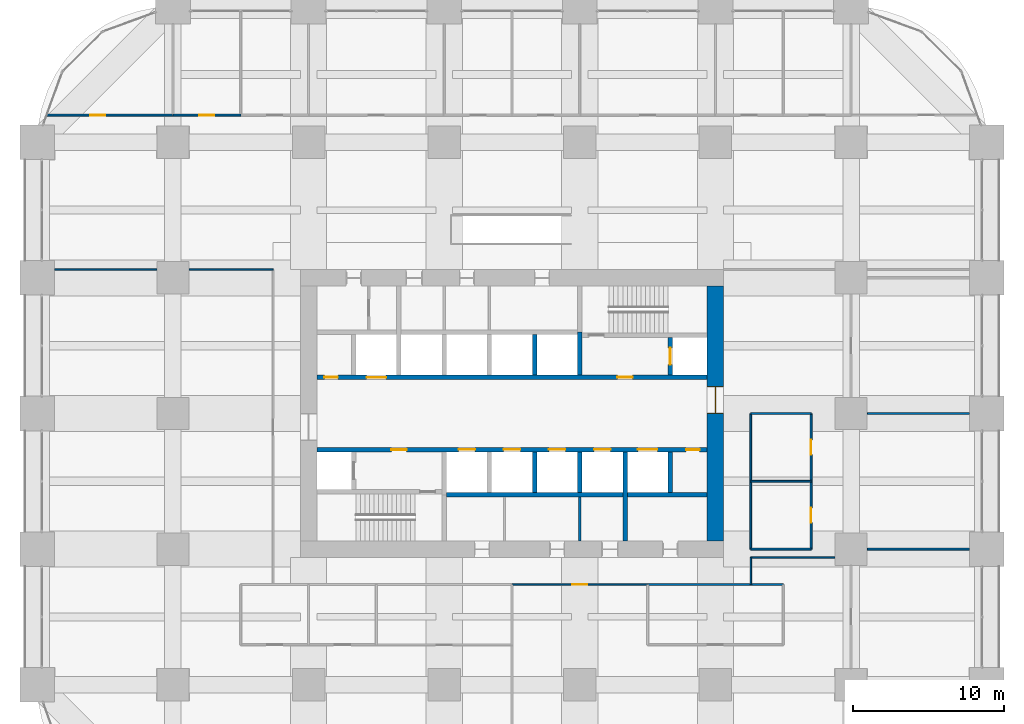
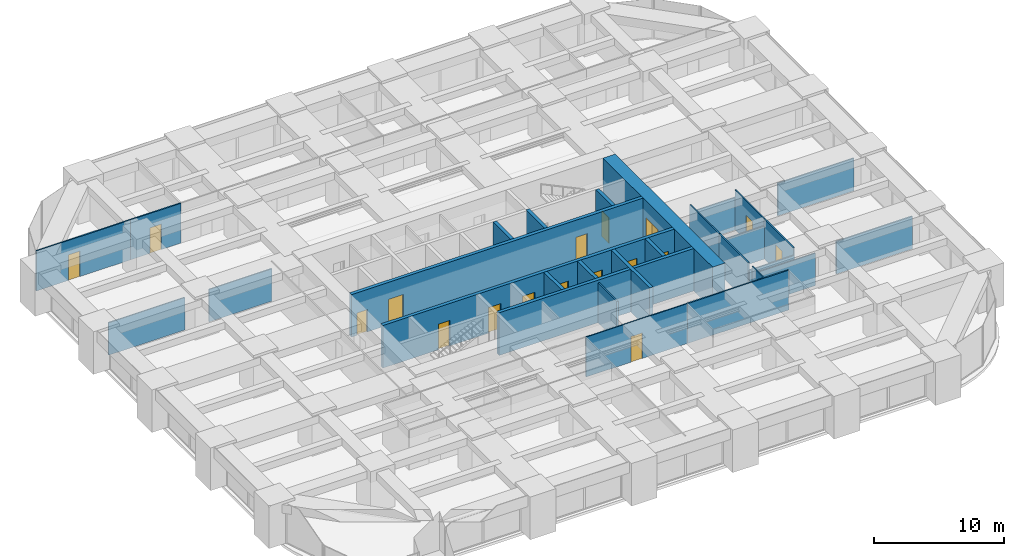
# One storey, part 40 of 44: 29 walls, 17 doors, 17 openings.
"""IFC4 building model written with IfcOpenShell, lengths in metres."""

from ifc_helpers import new_model, si_unit, direction, frame, frame_2d, origin, place, context, subcontext, project, spatial, rectangle, extrude, material, layer, layer_set, type_object, element, fill, save


model = new_model("IFC4")

# Units and contexts
model_context = context("Model", 3, precision=1e-05, world=origin(), true_north=direction((0.0, 1.0)))
body_context = subcontext(model_context, "Body", "Model", "MODEL_VIEW")
ifc_project = project(units=[si_unit("LENGTHUNIT", "METRE"), si_unit("AREAUNIT", "SQUARE_METRE"), si_unit("VOLUMEUNIT", "CUBIC_METRE"), si_unit("PLANEANGLEUNIT", "RADIAN"), si_unit("MASSUNIT", "GRAM", prefix="KILO")], contexts=[model_context])

# Site, building, storey
site_placement = place(None, origin())
site = spatial("IfcSite", under=ifc_project, at=site_placement, CompositionType="ELEMENT")
building_placement = place(site_placement, origin())
building = spatial("IfcBuilding", under=site, at=building_placement, Name="Zorevar Civic Tower", CompositionType="ELEMENT")
storey_placement = place(building_placement, frame((0.0, 0.0, 63.800048828125)))
storey = spatial("IfcBuildingStorey", under=building, at=storey_placement, Name="L15", CompositionType="ELEMENT", Elevation=63.800048828125)

# Wall, opening, door
ifc_material_1 = material(Name="Concrete C50/60", Category="concrete")
ifc_layer_1 = layer(ifc_material_1, 1.10009765625)
ifc_layer_set_1 = layer_set([ifc_layer_1], Name="Core wall 1100")
wall_type_1 = type_object("IfcWallType", Name="Core wall 1100", PredefinedType="SHEAR", material=ifc_layer_set_1)
wall_1_placement = place(storey_placement, frame((45.0, 18.550048828125, 0.0), z_axis=(0.0, 0.0, 1.0), x_axis=(0.0, 1.0, 0.0)))
wall_1 = element("IfcWall", 1, at=wall_1_placement, inside=storey, type_object=wall_type_1, Name="Core wall E L15", PredefinedType="SHEAR", context=body_context, shape_type="SweptSolid", body=[
    extrude(rectangle(XDim=16.89990234375, YDim=1.10009765625, at=frame_2d((8.449951171875, 0.0))), origin(), (0.0, 0.0, 1.0), 4.0),
])
opening_1_placement = place(wall_1_placement, frame((8.449951171875, 0.0, 0.0)))
opening_1 = element("IfcOpeningElement", 2, at=opening_1_placement, cuts=wall_1, Name="Opening L15.02", PredefinedType="OPENING", context=body_context, shape_type="SweptSolid", body=[
    extrude(rectangle(XDim=1.800048828125, YDim=2.39990234375, at=frame_2d((0.89990234375, 1.199951171875))), frame((0.0, 0.56005859375, 0.0), z_axis=(0.0, -1.0, 0.0), x_axis=(1.0, 0.0, 0.0)), (0.0, 0.0, 1.0), 1.1201171875),
])
ifc_material_2 = material(Name="Steel door set", Category="steel")
door_type_1 = type_object("IfcDoorType", Name="Fire door FD2 1800x2400", OperationType="DOUBLE_DOOR_DOUBLE_SWING", PredefinedType="DOOR", material=ifc_material_2)
door_1_placement = place(opening_1_placement, origin())
door_1 = element("IfcDoor", 3, at=door_1_placement, inside=storey, type_object=door_type_1, Name="Door L15 01", OperationType="DOUBLE_DOOR_DOUBLE_SWING", OverallHeight=2.39990234375, OverallWidth=1.800048828125, PredefinedType="DOOR", context=body_context, shape_type="SweptSolid", body=[
    extrude(rectangle(XDim=1.800048828125, YDim=2.39990234375, at=frame_2d((0.89990234375, 1.199951171875))), frame((0.0, 0.030029296875, 0.0), z_axis=(0.0, -1.0, 0.0), x_axis=(1.0, 0.0, 0.0)), (0.0, 0.0, 1.0), 0.06005859375),
    extrude(rectangle(XDim=0.04, YDim=2.39990234375, at=frame_2d((0.02001953125, 1.199951171875))), frame((0.0, 0.5498046875, 0.0), z_axis=(0.0, -1.0, 0.0), x_axis=(1.0, 0.0, 0.0)), (0.0, 0.0, 1.0), 1.099609375),
    extrude(rectangle(XDim=0.04, YDim=2.39990234375, at=frame_2d((1.780029296875, 1.199951171875))), frame((0.0, 0.5498046875, 0.0), z_axis=(0.0, -1.0, 0.0), x_axis=(1.0, 0.0, 0.0)), (0.0, 0.0, 1.0), 1.099609375),
    extrude(rectangle(XDim=1.800048828125, YDim=0.04, at=frame_2d((0.89990234375, 2.3798828125))), frame((0.0, 0.5498046875, 0.0), z_axis=(0.0, -1.0, 0.0), x_axis=(1.0, 0.0, 0.0)), (0.0, 0.0, 1.0), 1.099609375),
])
fill(opening_1, door_1)

ifc_material_3 = material(Name="Laminated glass in black aluminium frame", Category="aluminium")
ifc_layer_2 = layer(ifc_material_3, 0.10009765625)
ifc_layer_set_2 = layer_set([ifc_layer_2], Name="Glazed partition 100")
wall_type_2 = type_object("IfcWallType", Name="Glazed partition 100", PredefinedType="PARTITIONING", material=ifc_layer_set_2)
wall_2_placement = place(storey_placement, frame((31.5, 15.64990234375, 0.0), z_axis=(0.0, 0.0, 1.0), x_axis=(1.0, 0.0, 0.0)))
wall_2 = element("IfcWall", 4, at=wall_2_placement, inside=storey, type_object=wall_type_2, Name="Glazed partition 100 L15", PredefinedType="PARTITIONING", context=body_context, shape_type="SweptSolid", body=[
    extrude(rectangle(XDim=9.0, YDim=0.10009765625, at=frame_2d((4.5, 0.0))), origin(), (0.0, 0.0, 1.0), 3.75),
])
opening_2_placement = place(wall_2_placement, frame((4.0, 0.0, 0.0)))
opening_2 = element("IfcOpeningElement", 5, at=opening_2_placement, cuts=wall_2, Name="Opening L15.21", PredefinedType="OPENING", context=body_context, shape_type="SweptSolid", body=[
    extrude(rectangle(XDim=1.0, YDim=2.39990234375, at=frame_2d((0.5, 1.199951171875))), frame((0.0, 0.06005859375, 0.0), z_axis=(0.0, -1.0, 0.0), x_axis=(1.0, 0.0, 0.0)), (0.0, 0.0, 1.0), 0.1201171875),
])
ifc_material_4 = material(Name="Timber door set", Category="wood")
door_type_2 = type_object("IfcDoorType", Name="Glazed door GD1 1000x2400", OperationType="SINGLE_SWING_LEFT", PredefinedType="DOOR", material=ifc_material_4)
door_2_placement = place(opening_2_placement, origin())
door_2 = element("IfcDoor", 6, at=door_2_placement, inside=storey, type_object=door_type_2, Name="Door L15 D1", OperationType="SINGLE_SWING_RIGHT", OverallHeight=2.39990234375, OverallWidth=1.0, PredefinedType="DOOR", context=body_context, shape_type="SweptSolid", body=[
    extrude(rectangle(XDim=1.0, YDim=2.39990234375, at=frame_2d((0.5, 1.199951171875))), frame((0.0, 0.02001953125, 0.0), z_axis=(0.0, -1.0, 0.0), x_axis=(1.0, 0.0, 0.0)), (0.0, 0.0, 1.0), 0.0400390625),
])
fill(opening_2, door_2)

# Walls
wall_3_placement = place(storey_placement, frame((47.35009765625, 17.449951171875, 0.0), z_axis=(0.0, 0.0, 1.0), x_axis=(1.0, 0.0, 0.0)))
element("IfcWall", 7, at=wall_3_placement, inside=storey, type_object=wall_type_2, Name="Glazed partition 100 L15", PredefinedType="PARTITIONING", context=body_context, shape_type="SweptSolid", body=[
    extrude(rectangle(XDim=5.574951171875, YDim=0.10009765625, at=frame_2d((2.78759765625, 0.0))), origin(), (0.0, 0.0, 1.0), 3.050048828125),
])
wall_4_placement = place(storey_placement, frame((1.14990234375, 36.550048828125, 0.0), z_axis=(0.0, 0.0, 1.0), x_axis=(1.0, 0.0, 0.0)))
element("IfcWall", 8, at=wall_4_placement, inside=storey, type_object=wall_type_2, Name="Glazed partition 100 L15", PredefinedType="PARTITIONING", context=body_context, shape_type="SweptSolid", body=[
    extrude(rectangle(XDim=6.775146484375, YDim=0.10009765625, at=frame_2d((3.3876953125, 0.0))), origin(), (0.0, 0.0, 1.0), 3.050048828125),
])
wall_5_placement = place(storey_placement, frame((10.074951171875, 36.550048828125, 0.0), z_axis=(0.0, 0.0, 1.0), x_axis=(1.0, 0.0, 0.0)))
element("IfcWall", 9, at=wall_5_placement, inside=storey, type_object=wall_type_2, Name="Glazed partition 100 L15", PredefinedType="PARTITIONING", context=body_context, shape_type="SweptSolid", body=[
    extrude(rectangle(XDim=5.574951171875, YDim=0.10009765625, at=frame_2d((2.78759765625, 0.0))), origin(), (0.0, 0.0, 1.0), 3.050048828125),
])
wall_6_placement = place(storey_placement, frame((47.35009765625, 15.64990234375, 0.0), z_axis=(0.0, 0.0, 1.0), x_axis=(0.0, 1.0, 0.0)))
element("IfcWall", 10, at=wall_6_placement, inside=storey, type_object=wall_type_2, Name="Glazed partition 100 L15", PredefinedType="PARTITIONING", context=body_context, shape_type="SweptSolid", body=[
    extrude(rectangle(XDim=1.800048828125, YDim=0.10009765625, at=frame_2d((0.89990234375, 0.0))), origin(), (0.0, 0.0, 1.0), 3.75),
])

# Wall, opening, door
ifc_material_5 = material(Name="Concrete C40/50", Category="concrete")
ifc_layer_3 = layer(ifc_material_5, 0.300048828125)
ifc_layer_set_3 = layer_set([ifc_layer_3], Name="Inner core wall 300")
wall_type_3 = type_object("IfcWallType", Name="Inner core wall 300", PredefinedType="SHEAR", material=ifc_layer_set_3)
wall_7_placement = place(storey_placement, frame((42.0, 29.550048828125, 0.0), z_axis=(0.0, 0.0, 1.0), x_axis=(0.0, 1.0, 0.0)))
wall_7 = element("IfcWall", 11, at=wall_7_placement, inside=storey, type_object=wall_type_3, Name="Inner core wall N02 L15", PredefinedType="SHEAR", context=body_context, shape_type="SweptSolid", body=[
    extrude(rectangle(XDim=2.5, YDim=0.300048828125, at=frame_2d((1.25, 0.0))), origin(), (0.0, 0.0, 1.0), 4.0),
])
opening_3_placement = place(wall_7_placement, frame((0.699951171875, 0.0, 0.0)))
opening_3 = element("IfcOpeningElement", 12, at=opening_3_placement, cuts=wall_7, Name="Opening L15.FL2", PredefinedType="OPENING", context=body_context, shape_type="SweptSolid", body=[
    extrude(rectangle(XDim=1.10009765625, YDim=2.39990234375, at=frame_2d((0.550048828125, 1.199951171875))), frame((0.0, 0.159912109375, 0.0), z_axis=(0.0, -1.0, 0.0), x_axis=(1.0, 0.0, 0.0)), (0.0, 0.0, 1.0), 0.320068359375),
])
ifc_material_6 = material(Name="Steel door set", Category="steel")
door_type_3 = type_object("IfcDoorType", Name="Firefighting lift landing door LD3 1100x2400", OperationType="DOUBLE_DOOR_SLIDING", PredefinedType="DOOR", material=ifc_material_6)
door_3_placement = place(opening_3_placement, origin())
door_3 = element("IfcDoor", 13, at=door_3_placement, inside=storey, type_object=door_type_3, Name="Landing door FL2 L15", OperationType="DOUBLE_DOOR_SLIDING", OverallHeight=2.39990234375, OverallWidth=1.10009765625, PredefinedType="DOOR", context=body_context, shape_type="SweptSolid", body=[
    extrude(rectangle(XDim=1.10009765625, YDim=2.39990234375, at=frame_2d((0.550048828125, 1.199951171875))), frame((0.0, 0.030029296875, 0.0), z_axis=(0.0, -1.0, 0.0), x_axis=(1.0, 0.0, 0.0)), (0.0, 0.0, 1.0), 0.06005859375),
])
fill(opening_3, door_3)

# Wall, openings, doors
wall_8_placement = place(storey_placement, frame((18.550048828125, 24.60009765625, 0.0), z_axis=(0.0, 0.0, 1.0), x_axis=(1.0, 0.0, 0.0)))
wall_8 = element("IfcWall", 14, at=wall_8_placement, inside=storey, type_object=wall_type_3, Name="Inner core wall S03 L15", PredefinedType="SHEAR", context=body_context, shape_type="SweptSolid", body=[
    extrude(rectangle(XDim=25.89990234375, YDim=0.300048828125, at=frame_2d((12.949951171875, 0.0))), origin(), (0.0, 0.0, 1.0), 4.0),
])
opening_4_placement = place(wall_8_placement, frame((4.949951171875, 0.0, 0.0)))
opening_4 = element("IfcOpeningElement", 15, at=opening_4_placement, cuts=wall_8, Name="Opening L15.13", PredefinedType="OPENING", context=body_context, shape_type="SweptSolid", body=[
    extrude(rectangle(XDim=1.0, YDim=2.39990234375, at=frame_2d((0.5, 1.199951171875))), frame((0.0, 0.159912109375, 0.0), z_axis=(0.0, -1.0, 0.0), x_axis=(1.0, 0.0, 0.0)), (0.0, 0.0, 1.0), 0.320068359375),
])
opening_5_placement = place(wall_8_placement, frame((24.5, 0.0, 0.0)))
opening_5 = element("IfcOpeningElement", 16, at=opening_5_placement, cuts=wall_8, Name="Opening L15.15", PredefinedType="OPENING", context=body_context, shape_type="SweptSolid", body=[
    extrude(rectangle(XDim=0.89990234375, YDim=2.10009765625, at=frame_2d((0.449951171875, 1.050048828125))), frame((0.0, 0.159912109375, 0.0), z_axis=(0.0, -1.0, 0.0), x_axis=(1.0, 0.0, 0.0)), (0.0, 0.0, 1.0), 0.320068359375),
])
opening_6_placement = place(wall_8_placement, frame((9.39990234375, 0.0, 0.0)))
opening_6 = element("IfcOpeningElement", 17, at=opening_6_placement, cuts=wall_8, Name="Opening L15.LP1", PredefinedType="OPENING", context=body_context, shape_type="SweptSolid", body=[
    extrude(rectangle(XDim=1.10009765625, YDim=2.39990234375, at=frame_2d((0.550048828125, 1.199951171875))), frame((0.0, 0.159912109375, 0.0), z_axis=(0.0, -1.0, 0.0), x_axis=(1.0, 0.0, 0.0)), (0.0, 0.0, 1.0), 0.320068359375),
])
opening_7_placement = place(wall_8_placement, frame((12.39990234375, 0.0, 0.0)))
opening_7 = element("IfcOpeningElement", 18, at=opening_7_placement, cuts=wall_8, Name="Opening L15.LP2", PredefinedType="OPENING", context=body_context, shape_type="SweptSolid", body=[
    extrude(rectangle(XDim=1.10009765625, YDim=2.39990234375, at=frame_2d((0.550048828125, 1.199951171875))), frame((0.0, 0.159912109375, 0.0), z_axis=(0.0, -1.0, 0.0), x_axis=(1.0, 0.0, 0.0)), (0.0, 0.0, 1.0), 0.320068359375),
])
opening_8_placement = place(wall_8_placement, frame((15.39990234375, 0.0, 0.0)))
opening_8 = element("IfcOpeningElement", 19, at=opening_8_placement, cuts=wall_8, Name="Opening L15.LP3", PredefinedType="OPENING", context=body_context, shape_type="SweptSolid", body=[
    extrude(rectangle(XDim=1.10009765625, YDim=2.39990234375, at=frame_2d((0.550048828125, 1.199951171875))), frame((0.0, 0.159912109375, 0.0), z_axis=(0.0, -1.0, 0.0), x_axis=(1.0, 0.0, 0.0)), (0.0, 0.0, 1.0), 0.320068359375),
])
opening_9_placement = place(wall_8_placement, frame((18.39990234375, 0.0, 0.0)))
opening_9 = element("IfcOpeningElement", 20, at=opening_9_placement, cuts=wall_8, Name="Opening L15.LP4", PredefinedType="OPENING", context=body_context, shape_type="SweptSolid", body=[
    extrude(rectangle(XDim=1.10009765625, YDim=2.39990234375, at=frame_2d((0.550048828125, 1.199951171875))), frame((0.0, 0.159912109375, 0.0), z_axis=(0.0, -1.0, 0.0), x_axis=(1.0, 0.0, 0.0)), (0.0, 0.0, 1.0), 0.320068359375),
])
opening_10_placement = place(wall_8_placement, frame((21.300048828125, 0.0, 0.0)))
opening_10 = element("IfcOpeningElement", 21, at=opening_10_placement, cuts=wall_8, Name="Opening L15.SL1", PredefinedType="OPENING", context=body_context, shape_type="SweptSolid", body=[
    extrude(rectangle(XDim=1.300048828125, YDim=2.39990234375, at=frame_2d((0.64990234375, 1.199951171875))), frame((0.0, 0.159912109375, 0.0), z_axis=(0.0, -1.0, 0.0), x_axis=(1.0, 0.0, 0.0)), (0.0, 0.0, 1.0), 0.320068359375),
])
ifc_material_7 = material(Name="Steel door set", Category="steel")
door_type_4 = type_object("IfcDoorType", Name="Fire door FD1 1000x2400", OperationType="SINGLE_SWING_LEFT", PredefinedType="DOOR", material=ifc_material_7)
door_4_placement = place(opening_4_placement, origin())
door_4 = element("IfcDoor", 22, at=door_4_placement, inside=storey, type_object=door_type_4, Name="Door L15 12", OperationType="SINGLE_SWING_RIGHT", OverallHeight=2.39990234375, OverallWidth=1.0, PredefinedType="DOOR", context=body_context, shape_type="SweptSolid", body=[
    extrude(rectangle(XDim=1.0, YDim=2.39990234375, at=frame_2d((0.5, 1.199951171875))), frame((0.0, 0.030029296875, 0.0), z_axis=(0.0, -1.0, 0.0), x_axis=(1.0, 0.0, 0.0)), (0.0, 0.0, 1.0), 0.06005859375),
])
fill(opening_4, door_4)
ifc_material_8 = material(Name="Steel door set", Category="steel")
door_type_5 = type_object("IfcDoorType", Name="Landing door LD1 1100x2400", OperationType="DOUBLE_DOOR_SLIDING", PredefinedType="DOOR", material=ifc_material_8)
door_5_placement = place(opening_6_placement, origin())
door_5 = element("IfcDoor", 23, at=door_5_placement, inside=storey, type_object=door_type_5, Name="Landing door LP1 L15", OperationType="DOUBLE_DOOR_SLIDING", OverallHeight=2.39990234375, OverallWidth=1.10009765625, PredefinedType="DOOR", context=body_context, shape_type="SweptSolid", body=[
    extrude(rectangle(XDim=1.10009765625, YDim=2.39990234375, at=frame_2d((0.550048828125, 1.199951171875))), frame((0.0, 0.02001953125, 0.0), z_axis=(0.0, -1.0, 0.0), x_axis=(1.0, 0.0, 0.0)), (0.0, 0.0, 1.0), 0.0400390625),
])
fill(opening_6, door_5)
door_6_placement = place(opening_7_placement, origin())
door_6 = element("IfcDoor", 24, at=door_6_placement, inside=storey, type_object=door_type_5, Name="Landing door LP2 L15", OperationType="DOUBLE_DOOR_SLIDING", OverallHeight=2.39990234375, OverallWidth=1.10009765625, PredefinedType="DOOR", context=body_context, shape_type="SweptSolid", body=[
    extrude(rectangle(XDim=1.10009765625, YDim=2.39990234375, at=frame_2d((0.550048828125, 1.199951171875))), frame((0.0, 0.02001953125, 0.0), z_axis=(0.0, -1.0, 0.0), x_axis=(1.0, 0.0, 0.0)), (0.0, 0.0, 1.0), 0.0400390625),
])
fill(opening_7, door_6)
door_7_placement = place(opening_8_placement, origin())
door_7 = element("IfcDoor", 25, at=door_7_placement, inside=storey, type_object=door_type_5, Name="Landing door LP3 L15", OperationType="DOUBLE_DOOR_SLIDING", OverallHeight=2.39990234375, OverallWidth=1.10009765625, PredefinedType="DOOR", context=body_context, shape_type="SweptSolid", body=[
    extrude(rectangle(XDim=1.10009765625, YDim=2.39990234375, at=frame_2d((0.550048828125, 1.199951171875))), frame((0.0, 0.02001953125, 0.0), z_axis=(0.0, -1.0, 0.0), x_axis=(1.0, 0.0, 0.0)), (0.0, 0.0, 1.0), 0.0400390625),
])
fill(opening_8, door_7)
door_8_placement = place(opening_9_placement, origin())
door_8 = element("IfcDoor", 26, at=door_8_placement, inside=storey, type_object=door_type_5, Name="Landing door LP4 L15", OperationType="DOUBLE_DOOR_SLIDING", OverallHeight=2.39990234375, OverallWidth=1.10009765625, PredefinedType="DOOR", context=body_context, shape_type="SweptSolid", body=[
    extrude(rectangle(XDim=1.10009765625, YDim=2.39990234375, at=frame_2d((0.550048828125, 1.199951171875))), frame((0.0, 0.02001953125, 0.0), z_axis=(0.0, -1.0, 0.0), x_axis=(1.0, 0.0, 0.0)), (0.0, 0.0, 1.0), 0.0400390625),
])
fill(opening_9, door_8)
ifc_material_9 = material(Name="Steel door set", Category="steel")
door_type_6 = type_object("IfcDoorType", Name="Landing door LD2 1300x2400", OperationType="DOUBLE_DOOR_SLIDING", PredefinedType="DOOR", material=ifc_material_9)
door_9_placement = place(opening_10_placement, origin())
door_9 = element("IfcDoor", 27, at=door_9_placement, inside=storey, type_object=door_type_6, Name="Landing door SL1 L15", OperationType="DOUBLE_DOOR_SLIDING", OverallHeight=2.39990234375, OverallWidth=1.300048828125, PredefinedType="DOOR", context=body_context, shape_type="SweptSolid", body=[
    extrude(rectangle(XDim=1.300048828125, YDim=2.39990234375, at=frame_2d((0.64990234375, 1.199951171875))), frame((0.0, 0.02001953125, 0.0), z_axis=(0.0, -1.0, 0.0), x_axis=(1.0, 0.0, 0.0)), (0.0, 0.0, 1.0), 0.0400390625),
])
fill(opening_10, door_9)
ifc_material_10 = material(Name="Steel door set", Category="steel")
door_type_7 = type_object("IfcDoorType", Name="Riser door RD1 900x2100", OperationType="SINGLE_SWING_LEFT", PredefinedType="DOOR", material=ifc_material_10)
door_10_placement = place(opening_5_placement, origin())
door_10 = element("IfcDoor", 28, at=door_10_placement, inside=storey, type_object=door_type_7, Name="Door L15 14", OperationType="SINGLE_SWING_RIGHT", OverallHeight=2.10009765625, OverallWidth=0.89990234375, PredefinedType="DOOR", context=body_context, shape_type="SweptSolid", body=[
    extrude(rectangle(XDim=0.89990234375, YDim=2.10009765625, at=frame_2d((0.449951171875, 1.050048828125))), frame((0.0, 0.030029296875, 0.0), z_axis=(0.0, -1.0, 0.0), x_axis=(1.0, 0.0, 0.0)), (0.0, 0.0, 1.0), 0.06005859375),
])
fill(opening_5, door_10)

wall_9_placement = place(storey_placement, frame((18.550048828125, 29.39990234375, 0.0), z_axis=(0.0, 0.0, 1.0), x_axis=(1.0, 0.0, 0.0)))
wall_9 = element("IfcWall", 29, at=wall_9_placement, inside=storey, type_object=wall_type_3, Name="Inner core wall N03 L15", PredefinedType="SHEAR", context=body_context, shape_type="SweptSolid", body=[
    extrude(rectangle(XDim=25.89990234375, YDim=0.300048828125, at=frame_2d((12.949951171875, 0.0))), origin(), (0.0, 0.0, 1.0), 4.0),
])
opening_11_placement = place(wall_9_placement, frame((19.949951171875, 0.0, 0.0)))
opening_11 = element("IfcOpeningElement", 30, at=opening_11_placement, cuts=wall_9, Name="Opening L15.14", PredefinedType="OPENING", context=body_context, shape_type="SweptSolid", body=[
    extrude(rectangle(XDim=1.0, YDim=2.39990234375, at=frame_2d((0.5, 1.199951171875))), frame((0.0, 0.159912109375, 0.0), z_axis=(0.0, -1.0, 0.0), x_axis=(1.0, 0.0, 0.0)), (0.0, 0.0, 1.0), 0.320068359375),
])
opening_12_placement = place(wall_9_placement, frame((0.5, 0.0, 0.0)))
opening_12 = element("IfcOpeningElement", 31, at=opening_12_placement, cuts=wall_9, Name="Opening L15.16", PredefinedType="OPENING", context=body_context, shape_type="SweptSolid", body=[
    extrude(rectangle(XDim=0.89990234375, YDim=2.10009765625, at=frame_2d((0.449951171875, 1.050048828125))), frame((0.0, 0.159912109375, 0.0), z_axis=(0.0, -1.0, 0.0), x_axis=(1.0, 0.0, 0.0)), (0.0, 0.0, 1.0), 0.320068359375),
])
opening_13_placement = place(wall_9_placement, frame((3.300048828125, 0.0, 0.0)))
opening_13 = element("IfcOpeningElement", 32, at=opening_13_placement, cuts=wall_9, Name="Opening L15.SL2", PredefinedType="OPENING", context=body_context, shape_type="SweptSolid", body=[
    extrude(rectangle(XDim=1.300048828125, YDim=2.39990234375, at=frame_2d((0.64990234375, 1.199951171875))), frame((0.0, 0.159912109375, 0.0), z_axis=(0.0, -1.0, 0.0), x_axis=(1.0, 0.0, 0.0)), (0.0, 0.0, 1.0), 0.320068359375),
])
door_11_placement = place(opening_11_placement, origin())
door_11 = element("IfcDoor", 33, at=door_11_placement, inside=storey, type_object=door_type_4, Name="Door L15 13", OperationType="SINGLE_SWING_RIGHT", OverallHeight=2.39990234375, OverallWidth=1.0, PredefinedType="DOOR", context=body_context, shape_type="SweptSolid", body=[
    extrude(rectangle(XDim=1.0, YDim=2.39990234375, at=frame_2d((0.5, 1.199951171875))), frame((0.0, 0.030029296875, 0.0), z_axis=(0.0, -1.0, 0.0), x_axis=(1.0, 0.0, 0.0)), (0.0, 0.0, 1.0), 0.06005859375),
])
fill(opening_11, door_11)
door_12_placement = place(opening_13_placement, origin())
door_12 = element("IfcDoor", 34, at=door_12_placement, inside=storey, type_object=door_type_6, Name="Landing door SL2 L15", OperationType="DOUBLE_DOOR_SLIDING", OverallHeight=2.39990234375, OverallWidth=1.300048828125, PredefinedType="DOOR", context=body_context, shape_type="SweptSolid", body=[
    extrude(rectangle(XDim=1.300048828125, YDim=2.39990234375, at=frame_2d((0.64990234375, 1.199951171875))), frame((0.0, 0.02001953125, 0.0), z_axis=(0.0, -1.0, 0.0), x_axis=(1.0, 0.0, 0.0)), (0.0, 0.0, 1.0), 0.0400390625),
])
fill(opening_13, door_12)
door_13_placement = place(opening_12_placement, origin())
door_13 = element("IfcDoor", 35, at=door_13_placement, inside=storey, type_object=door_type_7, Name="Door L15 15", OperationType="SINGLE_SWING_RIGHT", OverallHeight=2.10009765625, OverallWidth=0.89990234375, PredefinedType="DOOR", context=body_context, shape_type="SweptSolid", body=[
    extrude(rectangle(XDim=0.89990234375, YDim=2.10009765625, at=frame_2d((0.449951171875, 1.050048828125))), frame((0.0, 0.030029296875, 0.0), z_axis=(0.0, -1.0, 0.0), x_axis=(1.0, 0.0, 0.0)), (0.0, 0.0, 1.0), 0.06005859375),
])
fill(opening_12, door_13)

# Walls
wall_10_placement = place(storey_placement, frame((27.14990234375, 21.60009765625, 0.0), z_axis=(0.0, 0.0, 1.0), x_axis=(1.0, 0.0, 0.0)))
element("IfcWall", 36, at=wall_10_placement, inside=storey, type_object=wall_type_3, Name="Inner core wall S04 L15", PredefinedType="SHEAR", context=body_context, shape_type="SweptSolid", body=[
    extrude(rectangle(XDim=17.300048828125, YDim=0.300048828125, at=frame_2d((8.64990234375, 0.0))), origin(), (0.0, 0.0, 1.0), 4.0),
])
for number, where, z_axis, x_axis, name in (
    (37, (33.0, 29.550048828125, 0.0), (0.0, 0.0, 1.0), (0.0, 1.0, 0.0), "Inner core wall N05 L15"),
    (38, (33.0, 21.75, 0.0), (0.0, 0.0, 1.0), (0.0, 1.0, 0.0), "Inner core wall S06 L15"),
    (39, (36.0, 21.75, 0.0), (0.0, 0.0, 1.0), (0.0, 1.0, 0.0), "Inner core wall S07 L15"),
):
    element("IfcWall", number, at=place(storey_placement, frame(where, z_axis=z_axis, x_axis=x_axis)), inside=storey, type_object=wall_type_3, Name=name, PredefinedType="SHEAR", context=body_context, shape_type="SweptSolid", body=[
        extrude(rectangle(XDim=2.699951171875, YDim=0.300048828125, at=frame_2d((1.35009765625, 0.0))), origin(), (0.0, 0.0, 1.0), 4.0),
    ])
wall_11_placement = place(storey_placement, frame((39.0, 18.550048828125, 0.0), z_axis=(0.0, 0.0, 1.0), x_axis=(0.0, 1.0, 0.0)))
element("IfcWall", 40, at=wall_11_placement, inside=storey, type_object=wall_type_3, Name="Inner core wall S08 L15", PredefinedType="SHEAR", context=body_context, shape_type="SweptSolid", body=[
    extrude(rectangle(XDim=5.89990234375, YDim=0.300048828125, at=frame_2d((2.949951171875, 0.0))), origin(), (0.0, 0.0, 1.0), 4.0),
])
wall_12_placement = place(storey_placement, frame((42.0, 21.75, 0.0), z_axis=(0.0, 0.0, 1.0), x_axis=(0.0, 1.0, 0.0)))
element("IfcWall", 41, at=wall_12_placement, inside=storey, type_object=wall_type_3, Name="Inner core wall S09 L15", PredefinedType="SHEAR", context=body_context, shape_type="SweptSolid", body=[
    extrude(rectangle(XDim=2.699951171875, YDim=0.300048828125, at=frame_2d((1.35009765625, 0.0))), origin(), (0.0, 0.0, 1.0), 4.0),
])
wall_13_placement = place(storey_placement, frame((36.0, 29.550048828125, 0.0), z_axis=(0.0, 0.0, 1.0), x_axis=(0.0, 1.0, 0.0)))
element("IfcWall", 42, at=wall_13_placement, inside=storey, type_object=wall_type_3, Name="Inner core wall N10 L15", PredefinedType="SHEAR", context=body_context, shape_type="SweptSolid", body=[
    extrude(rectangle(XDim=2.849853515625, YDim=0.300048828125, at=frame_2d((1.4248046875, 0.0))), origin(), (0.0, 0.0, 1.0), 4.0),
])
ifc_material_11 = material(Name="Gypsum board on steel studs", Category="steel")
ifc_layer_4 = layer(ifc_material_11, 0.1201171875)
ifc_layer_set_4 = layer_set([ifc_layer_4], Name="Partition 120")
wall_type_4 = type_object("IfcWallType", Name="Partition 120", PredefinedType="PARTITIONING", material=ifc_layer_set_4)
wall_14_placement = place(storey_placement, frame((40.5, 15.64990234375, 0.0), z_axis=(0.0, 0.0, 1.0), x_axis=(1.0, 0.0, 0.0)))
element("IfcWall", 43, at=wall_14_placement, inside=storey, type_object=wall_type_4, Name="Partition 120 L15", PredefinedType="PARTITIONING", context=body_context, shape_type="SweptSolid", body=[
    extrude(rectangle(XDim=9.0, YDim=0.1201171875, at=frame_2d((4.5, 0.0))), origin(), (0.0, 0.0, 1.0), 3.75),
])
wall_15_placement = place(storey_placement, frame((47.35009765625, 18.0, 0.0), z_axis=(0.0, 0.0, 1.0), x_axis=(1.0, 0.0, 0.0)))
element("IfcWall", 44, at=wall_15_placement, inside=storey, type_object=wall_type_4, Name="Partition 120 L15", PredefinedType="PARTITIONING", context=body_context, shape_type="SweptSolid", body=[
    extrude(rectangle(XDim=4.0, YDim=0.1201171875, at=frame_2d((2.0, 0.0))), origin(), (0.0, 0.0, 1.0), 3.050048828125),
])
wall_16_placement = place(storey_placement, frame((55.074951171875, 18.0, 0.0), z_axis=(0.0, 0.0, 1.0), x_axis=(1.0, 0.0, 0.0)))
element("IfcWall", 45, at=wall_16_placement, inside=storey, type_object=wall_type_4, Name="Partition 120 L15", PredefinedType="PARTITIONING", context=body_context, shape_type="SweptSolid", body=[
    extrude(rectangle(XDim=6.775146484375, YDim=0.1201171875, at=frame_2d((3.3876953125, 0.0))), origin(), (0.0, 0.0, 1.0), 3.050048828125),
])
wall_17_placement = place(storey_placement, frame((47.35009765625, 22.5, 0.0), z_axis=(0.0, 0.0, 1.0), x_axis=(1.0, 0.0, 0.0)))
element("IfcWall", 46, at=wall_17_placement, inside=storey, type_object=wall_type_4, Name="Partition 120 L15", PredefinedType="PARTITIONING", context=body_context, shape_type="SweptSolid", body=[
    extrude(rectangle(XDim=4.0, YDim=0.1201171875, at=frame_2d((2.0, 0.0))), origin(), (0.0, 0.0, 1.0), 3.099853515625),
])
wall_18_placement = place(storey_placement, frame((47.35009765625, 27.0, 0.0), z_axis=(0.0, 0.0, 1.0), x_axis=(1.0, 0.0, 0.0)))
element("IfcWall", 47, at=wall_18_placement, inside=storey, type_object=wall_type_4, Name="Partition 120 L15", PredefinedType="PARTITIONING", context=body_context, shape_type="SweptSolid", body=[
    extrude(rectangle(XDim=4.0, YDim=0.1201171875, at=frame_2d((2.0, 0.0))), origin(), (0.0, 0.0, 1.0), 3.050048828125),
])
wall_19_placement = place(storey_placement, frame((55.074951171875, 27.0, 0.0), z_axis=(0.0, 0.0, 1.0), x_axis=(1.0, 0.0, 0.0)))
element("IfcWall", 48, at=wall_19_placement, inside=storey, type_object=wall_type_4, Name="Partition 120 L15", PredefinedType="PARTITIONING", context=body_context, shape_type="SweptSolid", body=[
    extrude(rectangle(XDim=6.775146484375, YDim=0.1201171875, at=frame_2d((3.3876953125, 0.0))), origin(), (0.0, 0.0, 1.0), 3.050048828125),
])

# Wall, opening, door
wall_20_placement = place(storey_placement, frame((9.0, 46.800048828125, 0.0), z_axis=(0.0, 0.0, 1.0), x_axis=(1.0, 0.0, 0.0)))
wall_20 = element("IfcWall", 49, at=wall_20_placement, inside=storey, type_object=wall_type_4, Name="Partition 120 L15", PredefinedType="PARTITIONING", context=body_context, shape_type="SweptSolid", body=[
    extrude(rectangle(XDim=4.5, YDim=0.1201171875, at=frame_2d((2.25, 0.0))), origin(), (0.0, 0.0, 1.0), 3.75),
])
opening_14_placement = place(wall_20_placement, frame((1.75, 0.0, 0.0)))
opening_14 = element("IfcOpeningElement", 50, at=opening_14_placement, cuts=wall_20, Name="Opening L15.22", PredefinedType="OPENING", context=body_context, shape_type="SweptSolid", body=[
    extrude(rectangle(XDim=1.0, YDim=2.39990234375, at=frame_2d((0.5, 1.199951171875))), frame((0.0, 0.070068359375, 0.0), z_axis=(0.0, -1.0, 0.0), x_axis=(1.0, 0.0, 0.0)), (0.0, 0.0, 1.0), 0.14013671875),
])
ifc_material_12 = material(Name="Timber door set", Category="wood")
door_type_8 = type_object("IfcDoorType", Name="Door D1 1000x2400", OperationType="SINGLE_SWING_LEFT", PredefinedType="DOOR", material=ifc_material_12)
door_14_placement = place(opening_14_placement, origin())
door_14 = element("IfcDoor", 51, at=door_14_placement, inside=storey, type_object=door_type_8, Name="Door L15 D1", OperationType="SINGLE_SWING_LEFT", OverallHeight=2.39990234375, OverallWidth=1.0, PredefinedType="DOOR", context=body_context, shape_type="SweptSolid", body=[
    extrude(rectangle(XDim=1.0, YDim=2.39990234375, at=frame_2d((0.5, 1.199951171875))), frame((0.0, 0.02490234375, 0.0), z_axis=(0.0, -1.0, 0.0), x_axis=(1.0, 0.0, 0.0)), (0.0, 0.0, 1.0), 0.050048828125),
])
fill(opening_14, door_14)

wall_21_placement = place(storey_placement, frame((0.65283203125, 46.800048828125, 0.0), z_axis=(0.0, 0.0, 1.0), x_axis=(1.0, 0.0, 0.0)))
wall_21 = element("IfcWall", 52, at=wall_21_placement, inside=storey, type_object=wall_type_4, Name="Partition 120 L15", PredefinedType="PARTITIONING", context=body_context, shape_type="SweptSolid", body=[
    extrude(rectangle(XDim=8.34716796875, YDim=0.1201171875, at=frame_2d((4.173583984375, 0.0))), origin(), (0.0, 0.0, 1.0), 3.75),
])
opening_15_placement = place(wall_21_placement, frame((2.84716796875, 0.0, 0.0)))
opening_15 = element("IfcOpeningElement", 53, at=opening_15_placement, cuts=wall_21, Name="Opening L15.30", PredefinedType="OPENING", context=body_context, shape_type="SweptSolid", body=[
    extrude(rectangle(XDim=1.0, YDim=2.39990234375, at=frame_2d((0.5, 1.199951171875))), frame((0.0, 0.070068359375, 0.0), z_axis=(0.0, -1.0, 0.0), x_axis=(1.0, 0.0, 0.0)), (0.0, 0.0, 1.0), 0.14013671875),
])
door_15_placement = place(opening_15_placement, origin())
door_15 = element("IfcDoor", 54, at=door_15_placement, inside=storey, type_object=door_type_8, Name="Door L15 D1", OperationType="SINGLE_SWING_LEFT", OverallHeight=2.39990234375, OverallWidth=1.0, PredefinedType="DOOR", context=body_context, shape_type="SweptSolid", body=[
    extrude(rectangle(XDim=1.0, YDim=2.39990234375, at=frame_2d((0.5, 1.199951171875))), frame((0.0, 0.02490234375, 0.0), z_axis=(0.0, -1.0, 0.0), x_axis=(1.0, 0.0, 0.0)), (0.0, 0.0, 1.0), 0.050048828125),
])
fill(opening_15, door_15)

# Walls
for number, where, z_axis, x_axis, name in (
    (55, (47.35009765625, 18.0, 0.0), (0.0, 0.0, 1.0), (0.0, 1.0, 0.0), "Partition 120 L15"),
    (56, (47.35009765625, 22.5, 0.0), (0.0, 0.0, 1.0), (0.0, 1.0, 0.0), "Partition 120 L15"),
):
    element("IfcWall", number, at=place(storey_placement, frame(where, z_axis=z_axis, x_axis=x_axis)), inside=storey, type_object=wall_type_4, Name=name, PredefinedType="PARTITIONING", context=body_context, shape_type="SweptSolid", body=[
        extrude(rectangle(XDim=4.5, YDim=0.1201171875, at=frame_2d((2.25, 0.0))), origin(), (0.0, 0.0, 1.0), 3.75),
    ])

# Wall, opening, door
wall_22_placement = place(storey_placement, frame((51.35009765625, 18.0, 0.0), z_axis=(0.0, 0.0, 1.0), x_axis=(0.0, 1.0, 0.0)))
wall_22 = element("IfcWall", 57, at=wall_22_placement, inside=storey, type_object=wall_type_4, Name="Partition 120 L15", PredefinedType="PARTITIONING", context=body_context, shape_type="SweptSolid", body=[
    extrude(rectangle(XDim=4.5, YDim=0.1201171875, at=frame_2d((2.25, 0.0))), origin(), (0.0, 0.0, 1.0), 3.75),
])
opening_16_placement = place(wall_22_placement, frame((1.75, 0.0, 0.0)))
opening_16 = element("IfcOpeningElement", 58, at=opening_16_placement, cuts=wall_22, Name="Opening L15.33", PredefinedType="OPENING", context=body_context, shape_type="SweptSolid", body=[
    extrude(rectangle(XDim=1.0, YDim=2.39990234375, at=frame_2d((0.5, 1.199951171875))), frame((0.0, 0.070068359375, 0.0), z_axis=(0.0, -1.0, 0.0), x_axis=(1.0, 0.0, 0.0)), (0.0, 0.0, 1.0), 0.14013671875),
])
door_16_placement = place(opening_16_placement, origin())
door_16 = element("IfcDoor", 59, at=door_16_placement, inside=storey, type_object=door_type_8, Name="Door L15 D1", OperationType="SINGLE_SWING_LEFT", OverallHeight=2.39990234375, OverallWidth=1.0, PredefinedType="DOOR", context=body_context, shape_type="SweptSolid", body=[
    extrude(rectangle(XDim=1.0, YDim=2.39990234375, at=frame_2d((0.5, 1.199951171875))), frame((0.0, 0.02490234375, 0.0), z_axis=(0.0, -1.0, 0.0), x_axis=(1.0, 0.0, 0.0)), (0.0, 0.0, 1.0), 0.050048828125),
])
fill(opening_16, door_16)

wall_23_placement = place(storey_placement, frame((51.35009765625, 22.5, 0.0), z_axis=(0.0, 0.0, 1.0), x_axis=(0.0, 1.0, 0.0)))
wall_23 = element("IfcWall", 60, at=wall_23_placement, inside=storey, type_object=wall_type_4, Name="Partition 120 L15", PredefinedType="PARTITIONING", context=body_context, shape_type="SweptSolid", body=[
    extrude(rectangle(XDim=4.5, YDim=0.1201171875, at=frame_2d((2.25, 0.0))), origin(), (0.0, 0.0, 1.0), 3.75),
])
opening_17_placement = place(wall_23_placement, frame((1.75, 0.0, 0.0)))
opening_17 = element("IfcOpeningElement", 61, at=opening_17_placement, cuts=wall_23, Name="Opening L15.34", PredefinedType="OPENING", context=body_context, shape_type="SweptSolid", body=[
    extrude(rectangle(XDim=1.0, YDim=2.39990234375, at=frame_2d((0.5, 1.199951171875))), frame((0.0, 0.070068359375, 0.0), z_axis=(0.0, -1.0, 0.0), x_axis=(1.0, 0.0, 0.0)), (0.0, 0.0, 1.0), 0.14013671875),
])
door_17_placement = place(opening_17_placement, origin())
door_17 = element("IfcDoor", 62, at=door_17_placement, inside=storey, type_object=door_type_8, Name="Door L15 D1", OperationType="SINGLE_SWING_LEFT", OverallHeight=2.39990234375, OverallWidth=1.0, PredefinedType="DOOR", context=body_context, shape_type="SweptSolid", body=[
    extrude(rectangle(XDim=1.0, YDim=2.39990234375, at=frame_2d((0.5, 1.199951171875))), frame((0.0, 0.02490234375, 0.0), z_axis=(0.0, -1.0, 0.0), x_axis=(1.0, 0.0, 0.0)), (0.0, 0.0, 1.0), 0.050048828125),
])
fill(opening_17, door_17)

# Wall
ifc_material_13 = material(Name="Gypsum board on steel studs, moisture resistant", Category="steel")
ifc_layer_5 = layer(ifc_material_13, 0.14990234375)
ifc_layer_set_5 = layer_set([ifc_layer_5], Name="WC partition 150")
wall_type_5 = type_object("IfcWallType", Name="WC partition 150", PredefinedType="PARTITIONING", material=ifc_layer_set_5)
wall_24_placement = place(storey_placement, frame((36.0, 18.550048828125, 0.0), z_axis=(0.0, 0.0, 1.0), x_axis=(0.0, 1.0, 0.0)))
element("IfcWall", 63, at=wall_24_placement, inside=storey, type_object=wall_type_5, Name="WC partition L15", PredefinedType="PARTITIONING", context=body_context, shape_type="SweptSolid", body=[
    extrude(rectangle(XDim=2.89990234375, YDim=0.14990234375, at=frame_2d((1.449951171875, 0.0))), origin(), (0.0, 0.0, 1.0), 3.75),
])

save(model, "model.ifc")
